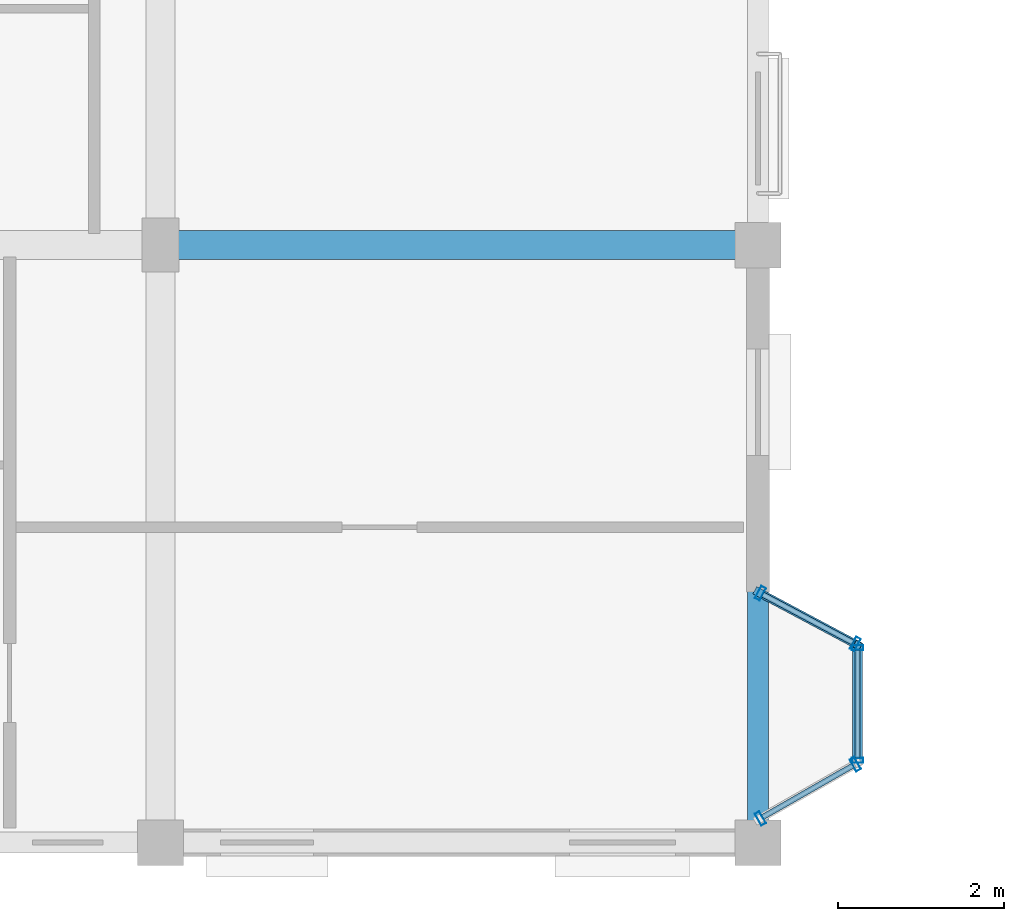
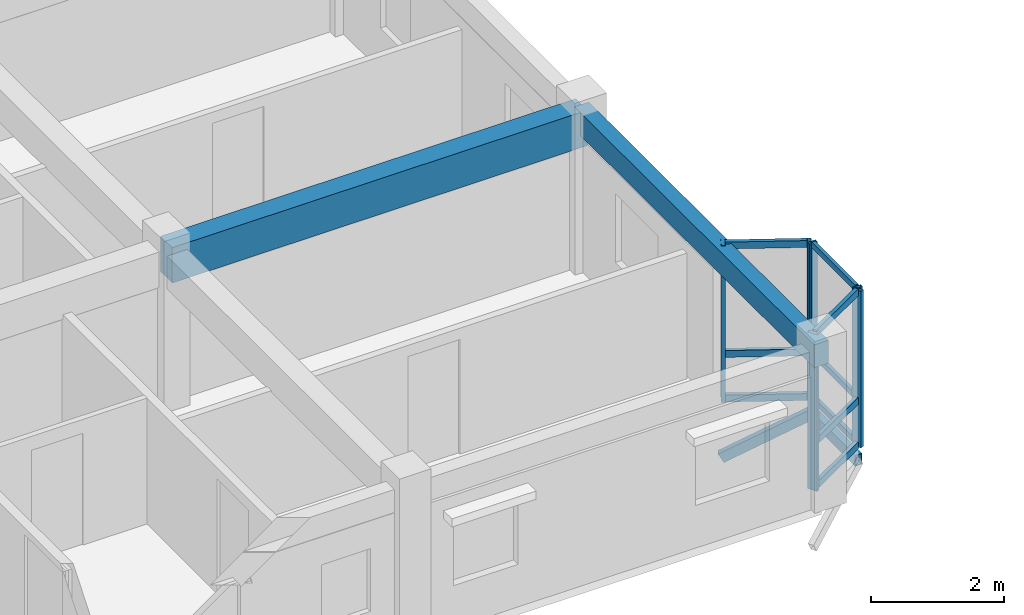
# One storey, part 6 of 79: 17 members, 2 beams, 3 elements without a shape of their own.
"""IFC4 building model written with IfcOpenShell, lengths in metres."""

from ifc_helpers import new_model, si_unit, direction, frame, origin, origin_2d, place, context, subcontext, project, spatial, rectangle, hollow_rectangle, extrude, material, layer, layer_set, material_profile, profile_set, type_object, element, aggregate, save


model = new_model("IFC4")

# Units and contexts
model_context = context("Model", 3, precision=1e-05, world=origin(), true_north=direction((0.0, 1.0)))
body_context = subcontext(model_context, "Body", "Model", "MODEL_VIEW")
ifc_project = project(units=[si_unit("LENGTHUNIT", "METRE"), si_unit("AREAUNIT", "SQUARE_METRE"), si_unit("VOLUMEUNIT", "CUBIC_METRE"), si_unit("PLANEANGLEUNIT", "RADIAN"), si_unit("MASSUNIT", "GRAM", prefix="KILO"), si_unit("THERMODYNAMICTEMPERATUREUNIT", "KELVIN"), si_unit("POWERUNIT", "WATT")], contexts=[model_context])

# Site, building, storey
site_placement = place(None, origin())
site = spatial("IfcSite", under=ifc_project, at=site_placement, CompositionType="ELEMENT")
building_placement = place(site_placement, origin())
building = spatial("IfcBuilding", under=site, at=building_placement, Name="Tavuni Mirador Residences", CompositionType="ELEMENT")
storey_placement = place(building_placement, frame((0.0, 0.0, 13.949951171875)))
storey = spatial("IfcBuildingStorey", under=building, at=storey_placement, Name="L04", CompositionType="ELEMENT", Elevation=13.949951171875)

# Beams
ifc_material_1 = material(Name="Precast concrete C40/50", Category="concrete")
ifc_material_profile_1 = material_profile(ifc_material_1, rectangle(XDim=0.35009765625, YDim=0.64990234375, at=origin_2d()), Name="PC 350x650", Category="concrete")
ifc_profile_set_1 = profile_set([ifc_material_profile_1], Name="Precast concrete C40/50")
beam_type_1 = type_object("IfcBeamType", Name="BT-B650", PredefinedType="BEAM", material=ifc_profile_set_1)
beam_1_placement = place(storey_placement, frame((25.199951171875, 14.39990234375, 2.545166015625), z_axis=(1.0, 0.0, 0.0), x_axis=(0.0, 1.0, 0.0)))
element("IfcBeam", 1, at=beam_1_placement, inside=storey, type_object=beam_type_1, Name="BMX-BLK-A-L04-03-01", PredefinedType="BEAM", context=body_context, shape_type="SweptSolid", body=[
    extrude(rectangle(XDim=0.35009765625, YDim=0.64990234375, at=origin_2d()), origin(), (0.0, 0.0, 1.0), 7.199951171875),
])
ifc_material_profile_2 = material_profile(ifc_material_1, rectangle(XDim=0.25, YDim=0.419921875, at=origin_2d()), Name="PC 250x420", Category="concrete")
ifc_profile_set_2 = profile_set([ifc_material_profile_2], Name="Precast concrete C40/50")
beam_type_2 = type_object("IfcBeamType", Name="BT-SP420", PredefinedType="SPANDREL", material=ifc_profile_set_2)
beam_2_placement = place(storey_placement, frame((32.39990234375, 7.199951171875, 2.66015625), z_axis=(0.0, 1.0, 0.0), x_axis=(-1.0, 0.0, 0.0)))
element("IfcBeam", 2, at=beam_2_placement, inside=storey, type_object=beam_type_2, Name="BMY-BLK-A-L04-04-00", PredefinedType="SPANDREL", context=body_context, shape_type="SweptSolid", body=[
    extrude(rectangle(XDim=0.25, YDim=0.419921875, at=origin_2d()), origin(), (0.0, 0.0, 1.0), 7.199951171875),
])

# Curtain wall, members
ifc_material_2 = material(Name="Anodised aluminium", Category="aluminium")
ifc_layer_1 = layer(ifc_material_2, 0.175048828125, Name="Anodised aluminium", Category="aluminium")
ifc_layer_set_1 = layer_set([ifc_layer_1], Name="Anodised aluminium")
curtain_wall_type_1 = type_object("IfcCurtainWallType", Name="CWT-MIR-C", PredefinedType="NOTDEFINED", material=ifc_layer_set_1)
curtain_wall_1_placement = place(storey_placement, origin())
curtain_wall_1 = element("IfcCurtainWall", 3, at=curtain_wall_1_placement, inside=storey, type_object=curtain_wall_type_1, Name="CW-MIR-A-E1-L04-MF", PredefinedType="NOTDEFINED")
ifc_material_profile_3 = material_profile(ifc_material_2, hollow_rectangle(XDim=0.06005859375, YDim=0.139892578125, WallThickness=0.00390625, at=origin_2d()), Name="ALU 60x140x4.0", Category="aluminium")
ifc_profile_set_3 = profile_set([ifc_material_profile_3], Name="Anodised aluminium")
member_type_1 = type_object("IfcMemberType", Name="CWM-140", PredefinedType="MULLION", material=ifc_profile_set_3)
member_1_placement = place(storey_placement, frame((33.60009765625, 8.18994140625, 0.0), z_axis=(0.0, 0.0, 1.0), x_axis=(0.0, 1.0, 0.0)))
member_1 = element("IfcMember", 4, at=member_1_placement, type_object=member_type_1, Name="CW-03 mullion 1", PredefinedType="MULLION", context=body_context, shape_type="SweptSolid", body=[
    extrude(hollow_rectangle(XDim=0.06005859375, YDim=0.139892578125, WallThickness=0.00390625, at=origin_2d()), origin(), (0.0, 0.0, 1.0), 2.8701171875),
])
member_2_placement = place(storey_placement, frame((33.60009765625, 9.550048828125, 0.0), z_axis=(0.0, 0.0, 1.0), x_axis=(0.0, 1.0, 0.0)))
member_2 = element("IfcMember", 5, at=member_2_placement, type_object=member_type_1, Name="CW-03 mullion 2", PredefinedType="MULLION", context=body_context, shape_type="SweptSolid", body=[
    extrude(hollow_rectangle(XDim=0.06005859375, YDim=0.139892578125, WallThickness=0.00390625, at=origin_2d()), origin(), (0.0, 0.0, 1.0), 2.8701171875),
])

ifc_layer_2 = layer(ifc_material_2, 0.14990234375, Name="Anodised aluminium", Category="aluminium")
ifc_layer_set_2 = layer_set([ifc_layer_2], Name="Anodised aluminium")
curtain_wall_type_2 = type_object("IfcCurtainWallType", Name="CWT-MIR-B", PredefinedType="NOTDEFINED", material=ifc_layer_set_2)
curtain_wall_2_placement = place(storey_placement, origin())
curtain_wall_2 = element("IfcCurtainWall", 6, at=curtain_wall_2_placement, inside=storey, type_object=curtain_wall_type_2, Name="CW-MIR-A-E1-L04-M1", PredefinedType="NOTDEFINED")
ifc_material_profile_4 = material_profile(ifc_material_2, hollow_rectangle(XDim=0.06494140625, YDim=0.1650390625, WallThickness=0.00439453125, at=origin_2d()), Name="ALU 65x165x4.5", Category="aluminium")
ifc_profile_set_4 = profile_set([ifc_material_profile_4], Name="Anodised aluminium")
member_type_2 = type_object("IfcMemberType", Name="CWM-165", PredefinedType="MULLION", material=ifc_profile_set_4)
member_3_placement = place(storey_placement, frame((32.42822265625, 7.4912109375, 0.0), z_axis=(0.0, 0.0, 1.0), x_axis=(0.868465738194, 0.495749192217, 0.0)))
member_3 = element("IfcMember", 7, at=member_3_placement, type_object=member_type_2, Name="CW-02 mullion 1", PredefinedType="MULLION", context=body_context, shape_type="SweptSolid", body=[
    extrude(hollow_rectangle(XDim=0.06494140625, YDim=0.1650390625, WallThickness=0.00439453125, at=origin_2d()), origin(), (0.0, 0.0, 1.0), 2.8701171875),
])
member_4_placement = place(storey_placement, frame((33.57177734375, 8.143798828125, 0.0), z_axis=(0.0, 0.0, 1.0), x_axis=(0.868465738194, 0.495749192217, 0.0)))
member_4 = element("IfcMember", 8, at=member_4_placement, type_object=member_type_2, Name="CW-02 mullion 2", PredefinedType="MULLION", context=body_context, shape_type="SweptSolid", body=[
    extrude(hollow_rectangle(XDim=0.06494140625, YDim=0.1650390625, WallThickness=0.00439453125, at=origin_2d()), origin(), (0.0, 0.0, 1.0), 2.8701171875),
])

ifc_layer_3 = layer(ifc_material_2, 0.159912109375, Name="Anodised aluminium", Category="aluminium")
ifc_layer_set_3 = layer_set([ifc_layer_3], Name="Anodised aluminium")
curtain_wall_type_3 = type_object("IfcCurtainWallType", Name="CWT-MIR-D", PredefinedType="NOTDEFINED", material=ifc_layer_set_3)
curtain_wall_3_placement = place(storey_placement, origin())
curtain_wall_3 = element("IfcCurtainWall", 9, at=curtain_wall_3_placement, inside=storey, type_object=curtain_wall_type_3, Name="CW-MIR-A-E1-L04-M2", PredefinedType="NOTDEFINED")
member_5_placement = place(storey_placement, frame((33.5712890625, 9.59521484375, 0.0), z_axis=(0.0, 0.0, 1.0), x_axis=(-0.882352941175, 0.470588235296, 0.0)))
member_5 = element("IfcMember", 10, at=member_5_placement, type_object=member_type_2, Name="CW-04 mullion 1", PredefinedType="MULLION", context=body_context, shape_type="SweptSolid", body=[
    extrude(hollow_rectangle(XDim=0.06494140625, YDim=0.1650390625, WallThickness=0.00439453125, at=origin_2d()), origin(), (0.0, 0.0, 1.0), 2.8701171875),
])
member_6_placement = place(storey_placement, frame((32.4287109375, 10.20458984375, 0.0), z_axis=(0.0, 0.0, 1.0), x_axis=(-0.882352941175, 0.470588235296, 0.0)))
member_6 = element("IfcMember", 11, at=member_6_placement, type_object=member_type_2, Name="CW-04 mullion 2", PredefinedType="MULLION", context=body_context, shape_type="SweptSolid", body=[
    extrude(hollow_rectangle(XDim=0.06494140625, YDim=0.1650390625, WallThickness=0.00439453125, at=origin_2d()), origin(), (0.0, 0.0, 1.0), 2.8701171875),
])

# Member
ifc_material_profile_5 = material_profile(ifc_material_2, hollow_rectangle(XDim=0.06005859375, YDim=0.110107421875, WallThickness=0.00390625, at=origin_2d()), Name="ALU 60x110x4.0", Category="aluminium")
ifc_profile_set_5 = profile_set([ifc_material_profile_5], Name="Anodised aluminium")
member_type_3 = type_object("IfcMemberType", Name="CWT-110", PredefinedType="USERDEFINED", material=ifc_profile_set_5)
member_7_placement = place(storey_placement, frame((33.60009765625, 8.219970703125, 0.030029296875), z_axis=(0.0, 1.0, 0.0), x_axis=(-1.0, 0.0, 0.0)))
member_7 = element("IfcMember", 12, at=member_7_placement, type_object=member_type_3, Name="CW-03 transom 1.1", ObjectType="TRANSOM", PredefinedType="USERDEFINED", context=body_context, shape_type="SweptSolid", body=[
    extrude(hollow_rectangle(XDim=0.06005859375, YDim=0.110107421875, WallThickness=0.00390625, at=origin_2d()), origin(), (0.0, 0.0, 1.0), 1.300048828125),
])

member_8_placement = place(storey_placement, frame((33.60009765625, 8.219970703125, 0.85009765625), z_axis=(0.0, 1.0, 0.0), x_axis=(-1.0, 0.0, 0.0)))
member_8 = element("IfcMember", 13, at=member_8_placement, type_object=member_type_3, Name="CW-03 transom 1.2", ObjectType="TRANSOM", PredefinedType="USERDEFINED", context=body_context, shape_type="SweptSolid", body=[
    extrude(hollow_rectangle(XDim=0.06005859375, YDim=0.110107421875, WallThickness=0.00390625, at=origin_2d()), origin(), (0.0, 0.0, 1.0), 1.300048828125),
])

member_9_placement = place(storey_placement, frame((33.60009765625, 8.219970703125, 2.840087890625), z_axis=(0.0, 1.0, 0.0), x_axis=(-1.0, 0.0, 0.0)))
member_9 = element("IfcMember", 14, at=member_9_placement, type_object=member_type_3, Name="CW-03 transom 1.3", ObjectType="TRANSOM", PredefinedType="USERDEFINED", context=body_context, shape_type="SweptSolid", body=[
    extrude(hollow_rectangle(XDim=0.06005859375, YDim=0.110107421875, WallThickness=0.00390625, at=origin_2d()), origin(), (0.0, 0.0, 1.0), 1.300048828125),
])

aggregate(curtain_wall_1, [member_1, member_2, member_7, member_8, member_9])

ifc_material_profile_6 = material_profile(ifc_material_2, hollow_rectangle(XDim=0.06494140625, YDim=0.125, WallThickness=0.00439453125, at=origin_2d()), Name="ALU 65x125x4.5", Category="aluminium")
ifc_profile_set_6 = profile_set([ifc_material_profile_6], Name="Anodised aluminium")
member_type_4 = type_object("IfcMemberType", Name="CWT-125", PredefinedType="USERDEFINED", material=ifc_profile_set_6)
member_10_placement = place(storey_placement, frame((32.45654296875, 7.50732421875, 0.032470703125), z_axis=(0.868495133122, 0.495697693905, 0.0), x_axis=(-0.495697693905, 0.868495133122, 0.0)))
member_10 = element("IfcMember", 15, at=member_10_placement, type_object=member_type_4, Name="CW-02 transom 1.1", ObjectType="TRANSOM", PredefinedType="USERDEFINED", context=body_context, shape_type="SweptSolid", body=[
    extrude(hollow_rectangle(XDim=0.06494140625, YDim=0.125, WallThickness=0.00439453125, at=origin_2d()), origin(), (0.0, 0.0, 1.0), 1.25146484375),
])

member_11_placement = place(storey_placement, frame((32.45654296875, 7.50732421875, 0.85009765625), z_axis=(0.868495133122, 0.495697693905, 0.0), x_axis=(-0.495697693905, 0.868495133122, 0.0)))
member_11 = element("IfcMember", 16, at=member_11_placement, type_object=member_type_4, Name="CW-02 transom 1.2", ObjectType="TRANSOM", PredefinedType="USERDEFINED", context=body_context, shape_type="SweptSolid", body=[
    extrude(hollow_rectangle(XDim=0.06494140625, YDim=0.125, WallThickness=0.00439453125, at=origin_2d()), origin(), (0.0, 0.0, 1.0), 1.25146484375),
])

member_12_placement = place(storey_placement, frame((32.45654296875, 7.50732421875, 2.837646484375), z_axis=(0.868495133122, 0.495697693905, 0.0), x_axis=(-0.495697693905, 0.868495133122, 0.0)))
member_12 = element("IfcMember", 17, at=member_12_placement, type_object=member_type_4, Name="CW-02 transom 1.3", ObjectType="TRANSOM", PredefinedType="USERDEFINED", context=body_context, shape_type="SweptSolid", body=[
    extrude(hollow_rectangle(XDim=0.06494140625, YDim=0.125, WallThickness=0.00439453125, at=origin_2d()), origin(), (0.0, 0.0, 1.0), 1.25146484375),
])

aggregate(curtain_wall_2, [member_3, member_4, member_10, member_11, member_12])

member_13_placement = place(storey_placement, frame((33.542724609375, 9.610595703125, 0.032470703125), z_axis=(-0.882369422046, 0.47055733236, 0.0), x_axis=(-0.47055733236, -0.882369422046, 0.0)))
member_13 = element("IfcMember", 18, at=member_13_placement, type_object=member_type_4, Name="CW-04 transom 1.1", ObjectType="TRANSOM", PredefinedType="USERDEFINED", context=body_context, shape_type="SweptSolid", body=[
    extrude(hollow_rectangle(XDim=0.06494140625, YDim=0.125, WallThickness=0.00439453125, at=origin_2d()), origin(), (0.0, 0.0, 1.0), 1.230224609375),
])

member_14_placement = place(storey_placement, frame((33.542724609375, 9.610595703125, 0.85009765625), z_axis=(-0.882369422046, 0.47055733236, 0.0), x_axis=(-0.47055733236, -0.882369422046, 0.0)))
member_14 = element("IfcMember", 19, at=member_14_placement, type_object=member_type_4, Name="CW-04 transom 1.2", ObjectType="TRANSOM", PredefinedType="USERDEFINED", context=body_context, shape_type="SweptSolid", body=[
    extrude(hollow_rectangle(XDim=0.06494140625, YDim=0.125, WallThickness=0.00439453125, at=origin_2d()), origin(), (0.0, 0.0, 1.0), 1.230224609375),
])

member_15_placement = place(storey_placement, frame((33.542724609375, 9.610595703125, 2.837646484375), z_axis=(-0.882369422046, 0.47055733236, 0.0), x_axis=(-0.47055733236, -0.882369422046, 0.0)))
member_15 = element("IfcMember", 20, at=member_15_placement, type_object=member_type_4, Name="CW-04 transom 1.3", ObjectType="TRANSOM", PredefinedType="USERDEFINED", context=body_context, shape_type="SweptSolid", body=[
    extrude(hollow_rectangle(XDim=0.06494140625, YDim=0.125, WallThickness=0.00439453125, at=origin_2d()), origin(), (0.0, 0.0, 1.0), 1.230224609375),
])

aggregate(curtain_wall_3, [member_5, member_6, member_13, member_14, member_15])

# Members
ifc_material_3 = material(Name="Structural steel S355", Category="steel")
ifc_material_profile_7 = material_profile(ifc_material_3, hollow_rectangle(XDim=0.10009765625, YDim=0.179931640625, WallThickness=0.008056640625, at=origin_2d()), Name="RHS 180x100x8.0", Category="steel")
ifc_profile_set_7 = profile_set([ifc_material_profile_7], Name="Structural steel S355")
member_type_5 = type_object("IfcMemberType", Name="MT-BR-RHS180", PredefinedType="BRACE", material=ifc_profile_set_7)
member_16_placement = place(storey_placement, frame((32.39990234375, 10.219970703125, -1.050048828125), z_axis=(0.767896193149, -0.409409260017, 0.492665702439), x_axis=(0.470467115558, 0.882417527692, 0.0)))
element("IfcMember", 21, at=member_16_placement, inside=storey, type_object=member_type_5, Name="MBRK-MIR-A-E1-L04-2", PredefinedType="BRACE", context=body_context, shape_type="SweptSolid", body=[
    extrude(hollow_rectangle(XDim=0.10009765625, YDim=0.179931640625, WallThickness=0.008056640625, at=origin_2d()), origin(), (0.0, 0.0, 1.0), 1.56298828125),
])
ifc_material_profile_8 = material_profile(ifc_material_3, hollow_rectangle(XDim=0.1201171875, YDim=0.199951171875, WallThickness=0.010009765625, at=origin_2d()), Name="RHS 200x120x10.0", Category="steel")
ifc_profile_set_8 = profile_set([ifc_material_profile_8], Name="Structural steel S355")
member_type_6 = type_object("IfcMemberType", Name="MT-ST-RHS200", PredefinedType="STRUT", material=ifc_profile_set_8)
member_17_placement = place(storey_placement, frame((33.60009765625, 8.159912109375, -0.280029296875), z_axis=(0.0, 1.0, 0.0), x_axis=(-1.0, 0.0, 0.0)))
element("IfcMember", 22, at=member_17_placement, inside=storey, type_object=member_type_6, Name="MRIM-MIR-A-E1-L04", PredefinedType="STRUT", context=body_context, shape_type="SweptSolid", body=[
    extrude(hollow_rectangle(XDim=0.1201171875, YDim=0.199951171875, WallThickness=0.010009765625, at=origin_2d()), origin(), (0.0, 0.0, 1.0), 1.420166015625),
])

save(model, "model.ifc")
